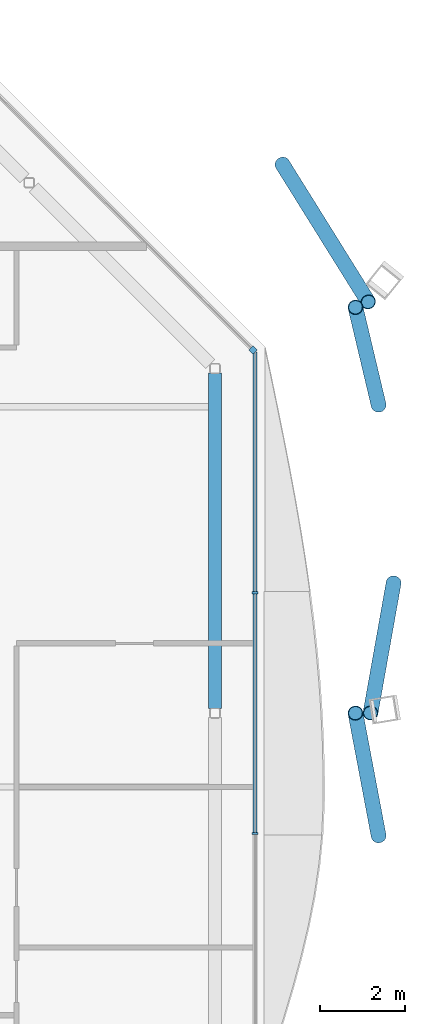
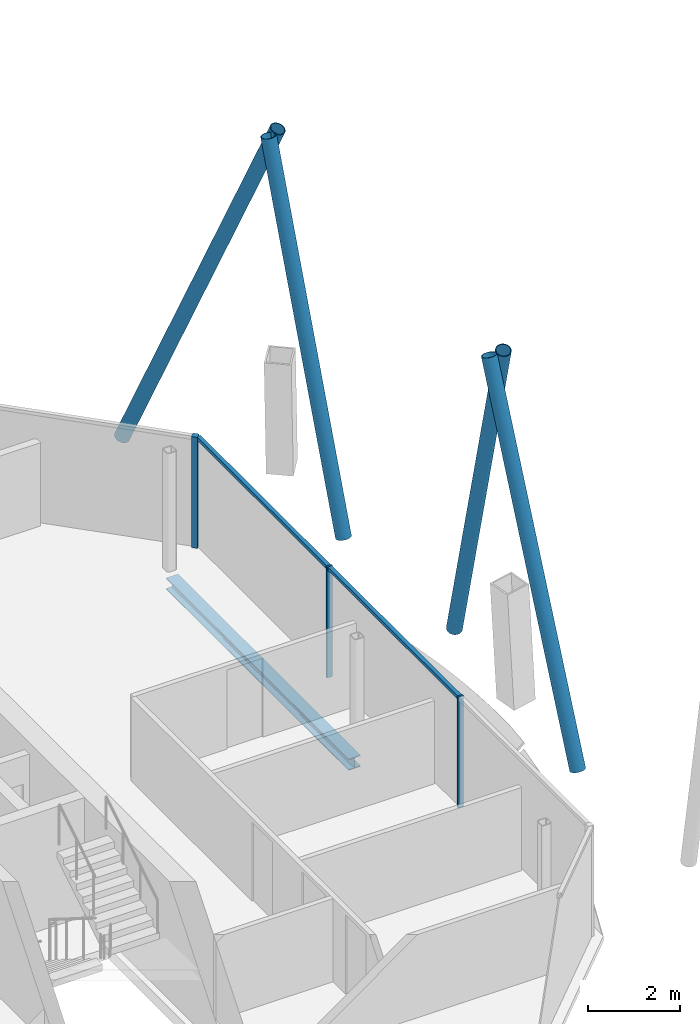
# One storey, part 7 of 14: 9 members, 1 beam, 2 elements without a shape of their own.
"""IFC4 building model written with IfcOpenShell, lengths in metres."""

from ifc_helpers import new_model, si_unit, direction, frame, origin, origin_2d, place, context, subcontext, project, spatial, rectangle, hollow_circle, i_section, extrude, material, material_profile, profile_set, type_object, element, aggregate, save


model = new_model("IFC4")

# Units and contexts
model_context = context("Model", 3, precision=1e-05, world=origin(), true_north=direction((0.0, 1.0)))
body_context = subcontext(model_context, "Body", "Model", "MODEL_VIEW")
ifc_project = project(units=[si_unit("LENGTHUNIT", "METRE"), si_unit("AREAUNIT", "SQUARE_METRE"), si_unit("VOLUMEUNIT", "CUBIC_METRE"), si_unit("PLANEANGLEUNIT", "RADIAN"), si_unit("MASSUNIT", "GRAM", prefix="KILO")], contexts=[model_context])

# Site, building, storey
site_placement = place(None, origin())
site = spatial("IfcSite", under=ifc_project, at=site_placement, CompositionType="ELEMENT")
building_placement = place(site_placement, origin())
building = spatial("IfcBuilding", under=site, at=building_placement, Name="Tskaro Facet Tower", CompositionType="ELEMENT")
storey_placement = place(building_placement, frame((0.0, 0.0, 287.85009765625)))
storey = spatial("IfcBuildingStorey", under=building, at=storey_placement, Name="L77", CompositionType="ELEMENT", Elevation=287.85009765625)

# Members
ifc_material_1 = material(Name="Steel S355J2H", Category="steel")
ifc_material_profile_1 = material_profile(ifc_material_1, hollow_circle(Radius=0.177734375, WallThickness=0.01611328125, at=origin_2d()), Name="CHS 355.6x16")
ifc_profile_set_1 = profile_set([ifc_material_profile_1], Name="Steel S355J2H")
member_type_1 = type_object("IfcMemberType", Name="CHS 355.6x16 brace", PredefinedType="BRACE", material=ifc_profile_set_1)
member_1_placement = place(storey_placement, frame((21.072021484375, -5.6513671875, 0.0), z_axis=(-0.055335817558, 0.293052966068, 0.954493533961), x_axis=(-0.982635493841, -0.185546453061, 0.0)))
element("IfcMember", 1, at=member_1_placement, inside=storey, type_object=member_type_1, Name="CHS 355.6x16 XB04A/6", PredefinedType="BRACE", context=body_context, shape_type="SweptSolid", body=[
    extrude(hollow_circle(Radius=0.177734375, WallThickness=0.01611328125, at=origin_2d()), origin(), (0.0, 0.0, 1.0), 9.900390625),
])
member_2_placement = place(storey_placement, frame((21.072021484375, 4.54248046875, 0.0), z_axis=(-0.056224703968, 0.237226157382, 0.969826032295), x_axis=(-0.973043884015, -0.230620033347, 0.0)))
element("IfcMember", 2, at=member_2_placement, inside=storey, type_object=member_type_1, Name="CHS 355.6x16 XB05A/6", PredefinedType="BRACE", context=body_context, shape_type="SweptSolid", body=[
    extrude(hollow_circle(Radius=0.177734375, WallThickness=0.01611328125, at=origin_2d()), origin(), (0.0, 0.0, 1.0), 9.743896484375),
])
member_3_placement = place(storey_placement, frame((21.427490234375, 0.33056640625, 0.0), z_axis=(-0.055011245014, -0.309465844665, 0.949317994092), x_axis=(0.984565197024, -0.175018207079, 0.0)))
element("IfcMember", 3, at=member_3_placement, inside=storey, type_object=member_type_1, Name="CHS 355.6x16 XB05B/6", PredefinedType="BRACE", context=body_context, shape_type="SweptSolid", body=[
    extrude(hollow_circle(Radius=0.177734375, WallThickness=0.01611328125, at=origin_2d()), origin(), (0.0, 0.0, 1.0), 9.954345703125),
])
member_4_placement = place(storey_placement, frame((18.795166015625, 10.239501953125, 0.0), z_axis=(0.199244037446, -0.31955632288, 0.926383057946), x_axis=(0.848569080669, 0.529084601301, 0.0)))
element("IfcMember", 4, at=member_4_placement, inside=storey, type_object=member_type_1, Name="CHS 355.6x16 XB06B/6", PredefinedType="BRACE", context=body_context, shape_type="SweptSolid", body=[
    extrude(hollow_circle(Radius=0.177734375, WallThickness=0.01611328125, at=origin_2d()), origin(), (0.0, 0.0, 1.0), 10.200927734375),
])

# Curtain wall, member
ifc_material_2 = material(Name="Bronze anodised aluminium 6063-T6", Category="aluminium")
curtain_wall_type = type_object("IfcCurtainWallType", Name="Bronze residence curtain wall (FW3)", PredefinedType="NOTDEFINED", material=ifc_material_2)
curtain_wall_1_placement = place(storey_placement, origin())
curtain_wall_1 = element("IfcCurtainWall", 5, at=curtain_wall_1_placement, inside=storey, type_object=curtain_wall_type, Name="FW3 north-east facet L77", PredefinedType="NOTDEFINED")
ifc_material_profile_2 = material_profile(ifc_material_2, rectangle(XDim=0.139892578125, YDim=0.139892578125, at=origin_2d()), Name="Corner post 140x140")
ifc_profile_set_2 = profile_set([ifc_material_profile_2], Name="Bronze anodised aluminium 6063-T6")
member_type_2 = type_object("IfcMemberType", Name="FW3 bronze corner post 140x140", PredefinedType="MULLION", material=ifc_profile_set_2)
member_5_placement = place(storey_placement, frame((18.1005859375, 5.845458984375, 0.0), z_axis=(0.0, 0.0, 1.0), x_axis=(-0.707106781187, 0.707106781187, 0.0)))
member_5 = element("IfcMember", 6, at=member_5_placement, type_object=member_type_2, Name="FW3 north-east corner post", PredefinedType="MULLION", context=body_context, shape_type="SweptSolid", body=[
    extrude(rectangle(XDim=0.139892578125, YDim=0.139892578125, at=origin_2d()), origin(), (0.0, 0.0, 1.0), 2.949951171875),
])
aggregate(curtain_wall_1, [member_5])

# Curtain wall, members
curtain_wall_2_placement = place(storey_placement, origin())
curtain_wall_2 = element("IfcCurtainWall", 7, at=curtain_wall_2_placement, inside=storey, type_object=curtain_wall_type, Name="FW3 east facet L77", PredefinedType="NOTDEFINED")
ifc_material_profile_3 = material_profile(ifc_material_2, rectangle(XDim=0.050048828125, YDim=0.139892578125, at=origin_2d()), Name="Mullion 50x140")
ifc_profile_set_3 = profile_set([ifc_material_profile_3], Name="Bronze anodised aluminium 6063-T6")
member_type_3 = type_object("IfcMemberType", Name="FW3 bronze mullion 50x140", PredefinedType="MULLION", material=ifc_profile_set_3)
member_6_placement = place(storey_placement, frame((18.14990234375, -5.5986328125, 0.0), z_axis=(0.0, 0.0, 1.0), x_axis=(0.0, 1.0, 0.0)))
member_6 = element("IfcMember", 8, at=member_6_placement, type_object=member_type_3, Name="FW3 east mullion 1", PredefinedType="MULLION", context=body_context, shape_type="SweptSolid", body=[
    extrude(rectangle(XDim=0.050048828125, YDim=0.139892578125, at=origin_2d()), origin(), (0.0, 0.0, 1.0), 2.949951171875),
])
member_7_placement = place(storey_placement, frame((18.14990234375, 0.0986328125, 0.0), z_axis=(0.0, 0.0, 1.0), x_axis=(0.0, 1.0, 0.0)))
member_7 = element("IfcMember", 9, at=member_7_placement, type_object=member_type_3, Name="FW3 east mullion 2", PredefinedType="MULLION", context=body_context, shape_type="SweptSolid", body=[
    extrude(rectangle(XDim=0.050048828125, YDim=0.139892578125, at=origin_2d()), origin(), (0.0, 0.0, 1.0), 2.949951171875),
])
ifc_material_profile_4 = material_profile(ifc_material_2, rectangle(XDim=0.10009765625, YDim=0.090087890625, at=origin_2d()), Name="Transom 100x90")
ifc_profile_set_4 = profile_set([ifc_material_profile_4], Name="Bronze anodised aluminium 6063-T6")
member_type_4 = type_object("IfcMemberType", Name="FW3 bronze transom 100x90", PredefinedType="USERDEFINED", material=ifc_profile_set_4)
member_8_placement = place(storey_placement, frame((18.14990234375, -5.57373046875, 2.90478515625), z_axis=(0.0, 1.0, 0.0), x_axis=(-1.0, 0.0, 0.0)))
member_8 = element("IfcMember", 10, at=member_8_placement, type_object=member_type_4, Name="FW3 east transom 2.1", ObjectType="TRANSOM", PredefinedType="USERDEFINED", context=body_context, shape_type="SweptSolid", body=[
    extrude(rectangle(XDim=0.10009765625, YDim=0.090087890625, at=origin_2d()), origin(), (0.0, 0.0, 1.0), 5.6474609375),
])
member_9_placement = place(storey_placement, frame((18.14990234375, 0.123779296875, 2.90478515625), z_axis=(0.0, 1.0, 0.0), x_axis=(-1.0, 0.0, 0.0)))
member_9 = element("IfcMember", 11, at=member_9_placement, type_object=member_type_4, Name="FW3 east transom 3.1", ObjectType="TRANSOM", PredefinedType="USERDEFINED", context=body_context, shape_type="SweptSolid", body=[
    extrude(rectangle(XDim=0.10009765625, YDim=0.090087890625, at=origin_2d()), origin(), (0.0, 0.0, 1.0), 5.672119140625),
])
aggregate(curtain_wall_2, [member_6, member_7, member_8, member_9])

# Beam
ifc_material_3 = material(Name="Steel S355J2", Category="steel")
ifc_material_profile_5 = material_profile(ifc_material_3, i_section(OverallWidth=0.300048828125, OverallDepth=0.300048828125, WebThickness=0.010986328125, FlangeThickness=0.01904296875, FilletRadius=0.027099609375, at=origin_2d()), Name="HE 300 B")
ifc_profile_set_5 = profile_set([ifc_material_profile_5], Name="Steel S355J2")
beam_type = type_object("IfcBeamType", Name="HE 300 B ring beam", PredefinedType="BEAM", material=ifc_profile_set_5)
beam_placement = place(storey_placement, frame((17.199951171875, -2.64501953125, -0.2900390625), z_axis=(0.0, 1.0, 0.0), x_axis=(-1.0, 0.0, 0.0)))
element("IfcBeam", 12, at=beam_placement, inside=storey, type_object=beam_type, Name="HE 300 B EB6-6", PredefinedType="BEAM", context=body_context, shape_type="SweptSolid", body=[
    extrude(i_section(OverallWidth=0.300048828125, OverallDepth=0.300048828125, WebThickness=0.010986328125, FlangeThickness=0.01904296875, FilletRadius=0.027099609375, at=origin_2d()), origin(), (0.0, 0.0, 1.0), 7.943115234375),
])

save(model, "model.ifc")
